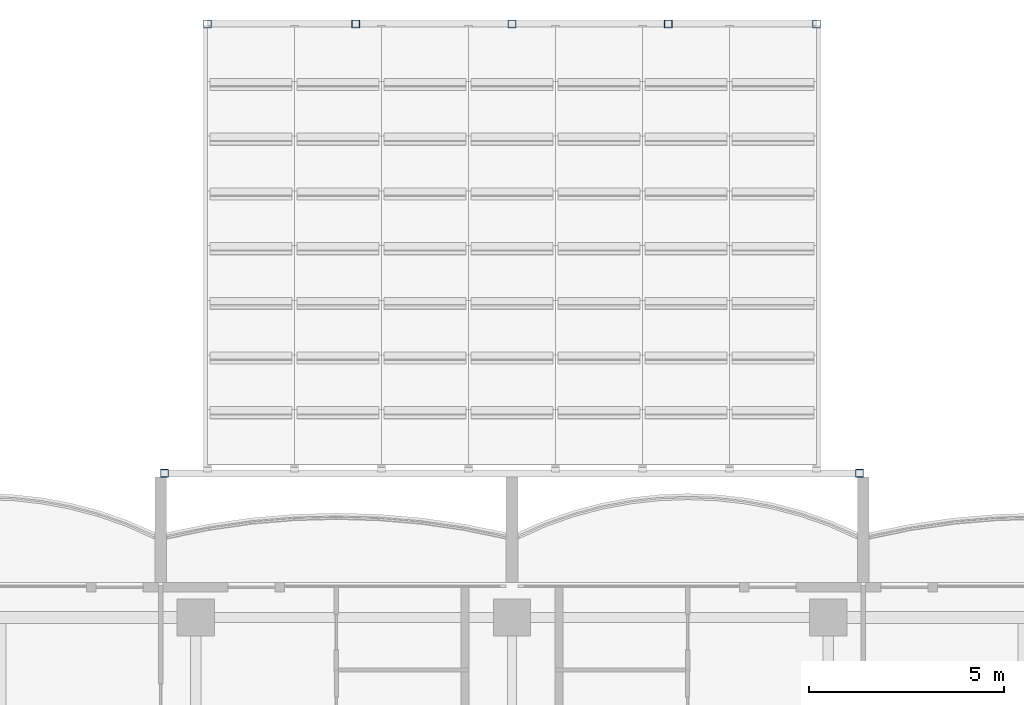
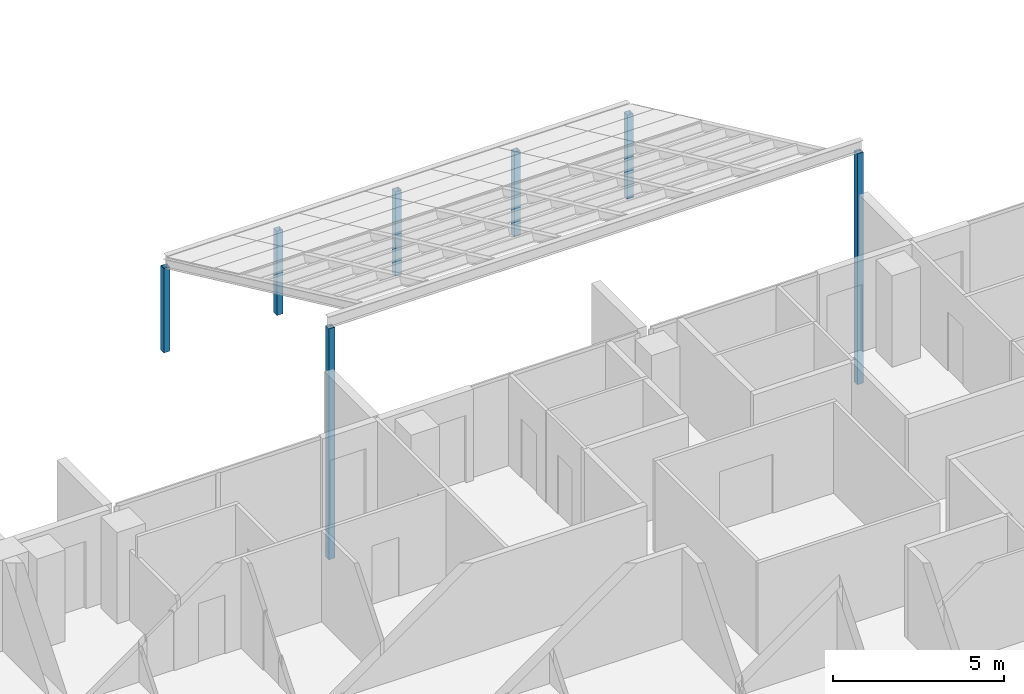
# One storey, part 2 of 20: 7 columns.
"""IFC4 building model written with IfcOpenShell, lengths in metres."""

from ifc_helpers import new_model, si_unit, direction, frame, origin, origin_2d, place, context, subcontext, project, spatial, hollow_rectangle, extrude, material, material_profile, profile_set, type_object, element, save


model = new_model("IFC4")

# Units and contexts
model_context = context("Model", 3, precision=1e-05, world=origin(), true_north=direction((0.0, 1.0)))
body_context = subcontext(model_context, "Body", "Model", "MODEL_VIEW")
ifc_project = project(units=[si_unit("LENGTHUNIT", "METRE"), si_unit("AREAUNIT", "SQUARE_METRE"), si_unit("VOLUMEUNIT", "CUBIC_METRE"), si_unit("PLANEANGLEUNIT", "RADIAN"), si_unit("MASSUNIT", "GRAM", prefix="KILO")], contexts=[model_context])

# Site, building, storey
site_placement = place(None, origin())
site = spatial("IfcSite", under=ifc_project, at=site_placement, CompositionType="ELEMENT")
building_placement = place(site_placement, origin())
building = spatial("IfcBuilding", under=site, at=building_placement, Name="Perihelion Cross Residences", CompositionType="ELEMENT")
storey_placement = place(building_placement, frame((0.0, 0.0, 170.10009765625)))
storey = spatial("IfcBuildingStorey", under=building, at=storey_placement, Name="L41", CompositionType="ELEMENT", Elevation=170.10009765625)

# Columns
ifc_material = material(Name="Steel S355", Category="steel")
ifc_material_profile = material_profile(ifc_material, hollow_rectangle(XDim=0.202880859375, YDim=0.202880859375, WallThickness=0.009521484375, at=origin_2d()), Name="HSS203.2x203.2x9.5")
ifc_profile_set = profile_set([ifc_material_profile], Name="Steel S355")
column_type = type_object("IfcColumnType", Name="Canopy post HSS203.2x203.2x9.5", PredefinedType="COLUMN", material=ifc_profile_set)
for number, where, z_axis, x_axis, name in (
    (1, (-7.800048828125, 23.300048828125, -3.5), (0.0, 0.0, 1.0), (1.0, 0.0, 0.0), "Canopy SC5 L41 post 1"),
    (2, (-4.0, 23.300048828125, -3.5), (0.0, 0.0, 1.0), (1.0, 0.0, 0.0), "Canopy SC5 L41 post 2"),
    (3, (0.0, 23.300048828125, -3.5), (0.0, 0.0, 1.0), (1.0, 0.0, 0.0), "Canopy SC5 L41 post 3"),
    (4, (4.0, 23.300048828125, -3.5), (0.0, 0.0, 1.0), (1.0, 0.0, 0.0), "Canopy SC5 L41 post 4"),
    (5, (7.800048828125, 23.300048828125, -3.5), (0.0, 0.0, 1.0), (1.0, 0.0, 0.0), "Canopy SC5 L41 post 5"),
):
    element("IfcColumn", number, at=place(storey_placement, frame(where, z_axis=z_axis, x_axis=x_axis)), inside=storey, type_object=column_type, Name=name, PredefinedType="COLUMN", context=body_context, shape_type="SweptSolid", body=[
        extrude(hollow_rectangle(XDim=0.202880859375, YDim=0.202880859375, WallThickness=0.009521484375, at=origin_2d()), origin(), (0.0, 0.0, 1.0), 2.996826171875),
    ])
for number, where, z_axis, x_axis, name in (
    (6, (-8.89990234375, 11.7890625, -3.5), (0.0, 0.0, 1.0), (1.0, 0.0, 0.0), "Canopy SC5 L41 ridge post 1"),
    (7, (8.89990234375, 11.7890625, -3.5), (0.0, 0.0, 1.0), (1.0, 0.0, 0.0), "Canopy SC5 L41 ridge post 2"),
):
    element("IfcColumn", number, at=place(storey_placement, frame(where, z_axis=z_axis, x_axis=x_axis)), inside=storey, type_object=column_type, Name=name, PredefinedType="COLUMN", context=body_context, shape_type="SweptSolid", body=[
        extrude(hollow_rectangle(XDim=0.202880859375, YDim=0.202880859375, WallThickness=0.009521484375, at=origin_2d()), origin(), (0.0, 0.0, 1.0), 8.22216796875),
    ])

save(model, "model.ifc")
